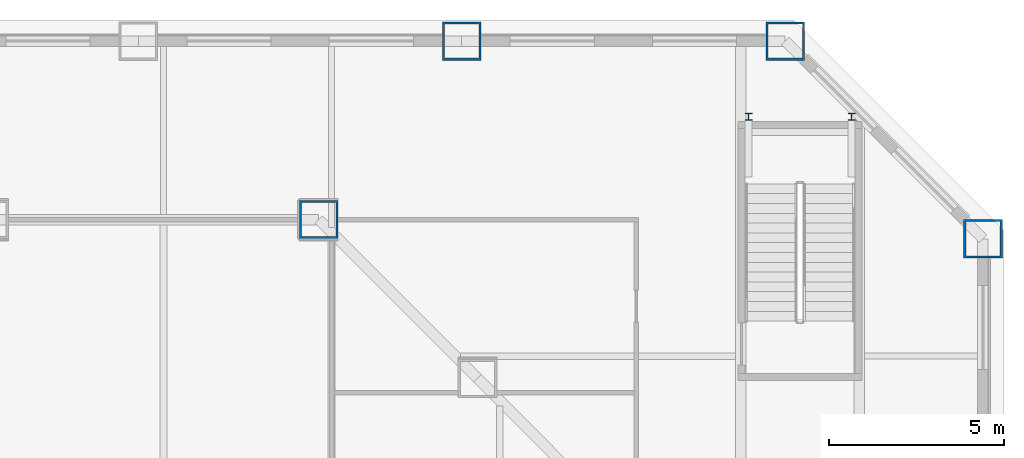
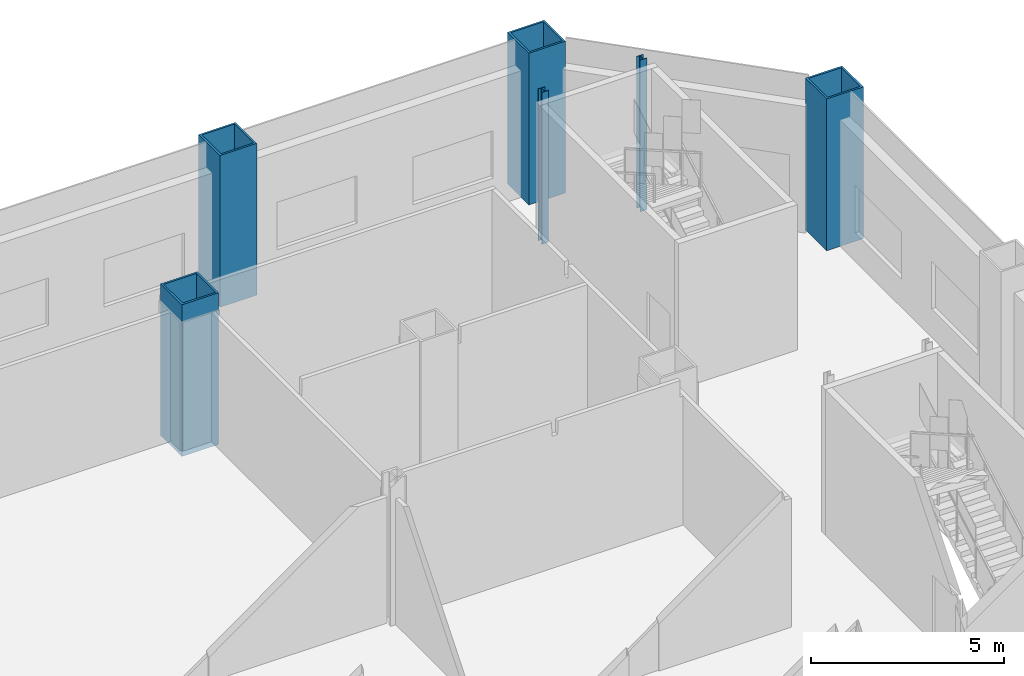
# One storey, part 7 of 26: 6 columns.
"""IFC4 building model written with IfcOpenShell, lengths in metres."""

from ifc_helpers import new_model, si_unit, direction, frame, origin, origin_2d, place, context, subcontext, project, spatial, hollow_rectangle, i_section, extrude, material, material_profile, profile_set, type_object, element, save


model = new_model("IFC4")

# Units and contexts
model_context = context("Model", 3, precision=1e-05, world=origin(), true_north=direction((0.0, 1.0)))
body_context = subcontext(model_context, "Body", "Model", "MODEL_VIEW")
ifc_project = project(units=[si_unit("LENGTHUNIT", "METRE"), si_unit("AREAUNIT", "SQUARE_METRE"), si_unit("VOLUMEUNIT", "CUBIC_METRE"), si_unit("PLANEANGLEUNIT", "RADIAN"), si_unit("MASSUNIT", "GRAM", prefix="KILO")], contexts=[model_context])

# Site, building, storey
site_placement = place(None, origin())
site = spatial("IfcSite", under=ifc_project, at=site_placement, CompositionType="ELEMENT")
building_placement = place(site_placement, origin())
building = spatial("IfcBuilding", under=site, at=building_placement, Name="Cairn Pilgrim Tower", CompositionType="ELEMENT")
storey_placement = place(building_placement, frame((0.0, 0.0, 25.800048828125)))
storey = spatial("IfcBuildingStorey", under=building, at=storey_placement, Name="L04", CompositionType="ELEMENT", Elevation=25.800048828125)

# Columns
ifc_material_1 = material(Name="Structural steel S460M", Category="steel")
ifc_material_profile_1 = material_profile(ifc_material_1, hollow_rectangle(XDim=1.10009765625, YDim=1.10009765625, WallThickness=0.06005859375, at=origin_2d()), Name="BOX 1100x1100x60")
ifc_profile_set_1 = profile_set([ifc_material_profile_1], Name="Structural steel S460M")
column_type_1 = type_object("IfcColumnType", Name="BOX 1100x1100x60", PredefinedType="COLUMN", material=ifc_profile_set_1)
column_placement = place(storey_placement, frame((18.8271484375, 23.10009765625, -0.199951171875), z_axis=(0.0, 0.0, 1.0), x_axis=(1.0, 0.0, 0.0)))
element("IfcColumn", 1, at=column_placement, inside=storey, type_object=column_type_1, Name="PC1-N1", PredefinedType="COLUMN", context=body_context, shape_type="SweptSolid", body=[
    extrude(hollow_rectangle(XDim=1.10009765625, YDim=1.10009765625, WallThickness=0.06005859375, at=origin_2d()), origin(), (0.0, 0.0, 1.0), 4.7998046875),
])
ifc_material_profile_2 = material_profile(ifc_material_1, hollow_rectangle(XDim=1.10009765625, YDim=1.10009765625, WallThickness=0.06005859375, at=origin_2d()), Name="BOX 1100x1100x60")
ifc_profile_set_2 = profile_set([ifc_material_profile_2], Name="Structural steel S460M")
column_type_2 = type_object("IfcColumnType", Name="PILOTIS CFT 1100", PredefinedType="COLUMN", material=ifc_profile_set_2)
for number, where, z_axis, x_axis, name in (
    (2, (37.800048828125, 22.551513671875, 0.0), (0.0, 0.0, 1.0), (1.0, 0.0, 0.0), "PILOTIS PL-NE1"),
    (3, (32.151611328125, 28.199951171875, 0.0), (0.0, 0.0, 1.0), (1.0, 0.0, 0.0), "PILOTIS PL-N1"),
    (4, (22.91357421875, 28.199951171875, 0.0), (0.0, 0.0, 1.0), (1.0, 0.0, 0.0), "PILOTIS PL-N2"),
):
    element("IfcColumn", number, at=place(storey_placement, frame(where, z_axis=z_axis, x_axis=x_axis)), inside=storey, type_object=column_type_2, Name=name, PredefinedType="COLUMN", context=body_context, shape_type="SweptSolid", body=[
        extrude(hollow_rectangle(XDim=1.10009765625, YDim=1.10009765625, WallThickness=0.06005859375, at=origin_2d()), origin(), (0.0, 0.0, 1.0), 4.800048828125),
    ])
ifc_material_2 = material(Name="Structural steel S355J2", Category="steel")
ifc_material_profile_3 = material_profile(ifc_material_2, i_section(OverallWidth=0.199951171875, OverallDepth=0.199951171875, WebThickness=0.009033203125, FlangeThickness=0.014892578125, FilletRadius=0.01806640625, at=origin_2d()), Name="HE 200 B")
ifc_profile_set_3 = profile_set([ifc_material_profile_3], Name="Structural steel S355J2")
column_type_3 = type_object("IfcColumnType", Name="STAIR POST HE 200 B", PredefinedType="COLUMN", material=ifc_profile_set_3)
for number, where, z_axis, x_axis, name in (
    (5, (31.10498046875, 26.0400390625, 0.0), (0.0, 0.0, 1.0), (1.0, 0.0, 0.0), "STAIR POST LP-ES4-NA"),
    (6, (34.044921875, 26.0400390625, 0.0), (0.0, 0.0, 1.0), (1.0, 0.0, 0.0), "STAIR POST LP-ES4-NB"),
):
    element("IfcColumn", number, at=place(storey_placement, frame(where, z_axis=z_axis, x_axis=x_axis)), inside=storey, type_object=column_type_3, Name=name, PredefinedType="COLUMN", context=body_context, shape_type="SweptSolid", body=[
        extrude(i_section(OverallWidth=0.199951171875, OverallDepth=0.199951171875, WebThickness=0.009033203125, FlangeThickness=0.014892578125, FilletRadius=0.01806640625, at=origin_2d()), origin(), (0.0, 0.0, 1.0), 4.800048828125),
    ])

save(model, "model.ifc")
